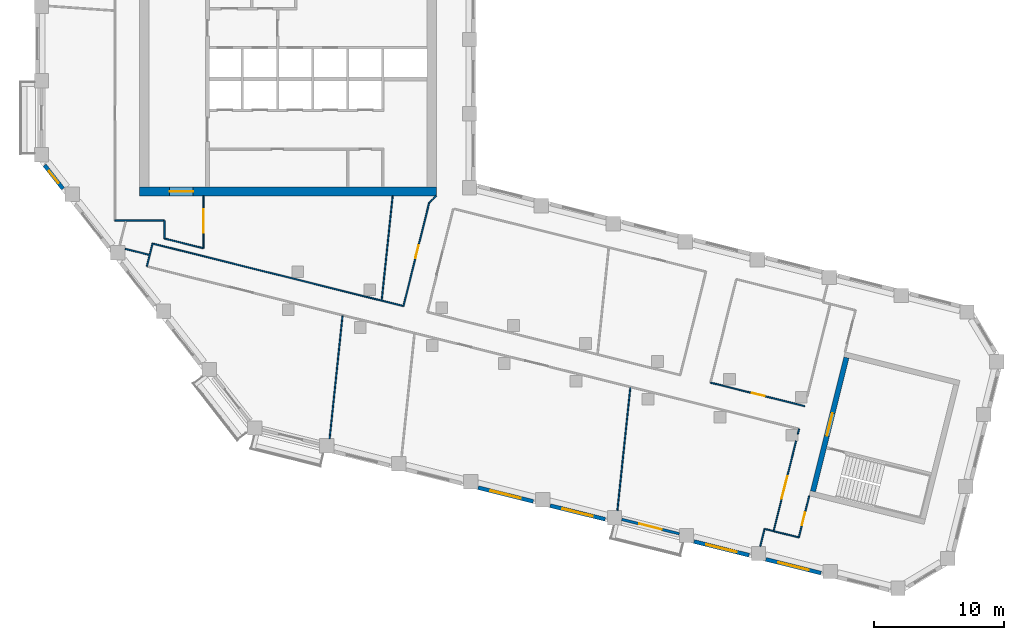
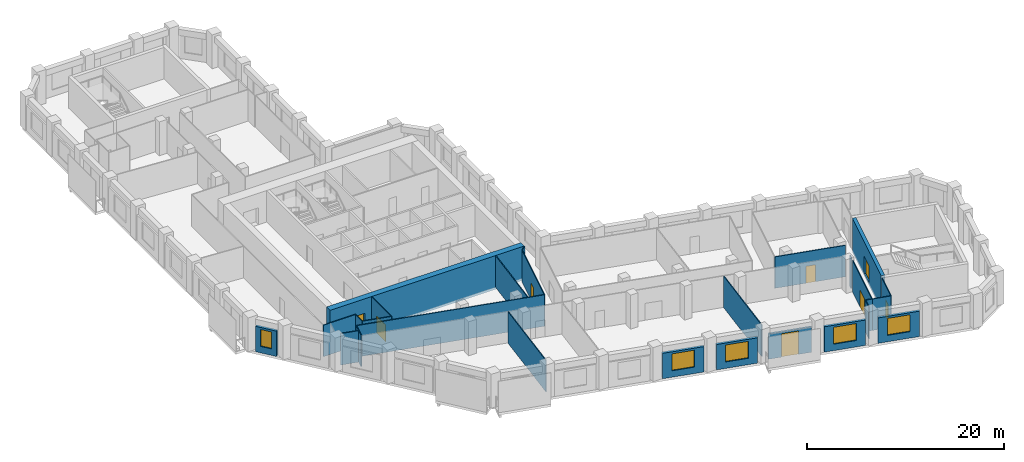
# One storey, part 3 of 10: 27 walls, 8 doors, 5 windows, 13 openings.
"""IFC4 building model written with IfcOpenShell, lengths in metres."""

from ifc_helpers import new_model, si_unit, direction, frame, frame_2d, origin, place, context, subcontext, project, spatial, rectangle, extrude, material, layer, layer_set, type_object, element, fill, save


model = new_model("IFC4")

# Units and contexts
model_context = context("Model", 3, precision=1e-05, world=origin(), true_north=direction((0.0, 1.0)))
body_context = subcontext(model_context, "Body", "Model", "MODEL_VIEW")
ifc_project = project(units=[si_unit("LENGTHUNIT", "METRE"), si_unit("AREAUNIT", "SQUARE_METRE"), si_unit("VOLUMEUNIT", "CUBIC_METRE"), si_unit("PLANEANGLEUNIT", "RADIAN"), si_unit("MASSUNIT", "GRAM", prefix="KILO")], contexts=[model_context])

# Site, building, storey
site_placement = place(None, origin())
site = spatial("IfcSite", under=ifc_project, at=site_placement, CompositionType="ELEMENT")
building_placement = place(site_placement, origin())
building = spatial("IfcBuilding", under=site, at=building_placement, Name="Meshkara Civic Tower", CompositionType="ELEMENT")
storey_placement = place(building_placement, frame((0.0, 0.0, 229.800048828125)))
storey = spatial("IfcBuildingStorey", under=building, at=storey_placement, Name="L52", CompositionType="ELEMENT", Elevation=229.800048828125)

# Wall, opening, door
ifc_material_1 = material(Name="Concrete C60", Category="concrete")
ifc_layer_1 = layer(ifc_material_1, 0.699951171875)
ifc_layer_set_1 = layer_set([ifc_layer_1], Name="Core ring wall 700 C60")
wall_type_1 = type_object("IfcWallType", Name="Core ring wall 700 C60", PredefinedType="SHEAR", material=ifc_layer_set_1)
wall_1_placement = place(storey_placement, frame((8.0, 14.449951171875, -0.300048828125), z_axis=(0.0, 0.0, 1.0), x_axis=(1.0, 0.0, 0.0)))
wall_1 = element("IfcWall", 1, at=wall_1_placement, inside=storey, type_object=wall_type_1, Name="L52-C001", PredefinedType="SHEAR", context=body_context, shape_type="SweptSolid", body=[
    extrude(rectangle(XDim=22.800048828125, YDim=0.699951171875, at=frame_2d((11.39990234375, 0.0))), origin(), (0.0, 0.0, 1.0), 4.199951171875),
])
opening_1_placement = place(wall_1_placement, frame((2.300048828125, 0.0, 0.300048828125)))
opening_1 = element("IfcOpeningElement", 2, at=opening_1_placement, cuts=wall_1, Name="Opening L52-K021", PredefinedType="OPENING", context=body_context, shape_type="SweptSolid", body=[
    extrude(rectangle(XDim=1.800048828125, YDim=2.10009765625, at=frame_2d((0.89990234375, 1.050048828125))), frame((0.0, 0.35986328125, 0.0), z_axis=(0.0, -1.0, 0.0), x_axis=(1.0, 0.0, 0.0)), (0.0, 0.0, 1.0), 0.719970703125),
])
ifc_material_2 = material(Name="Fire-rated door leaf in steel frame", Category="steel")
door_type_1 = type_object("IfcDoorType", Name="Core double door 1800 EI 60", OperationType="DOUBLE_DOOR_SINGLE_SWING", PredefinedType="DOOR", material=ifc_material_2)
door_1_placement = place(opening_1_placement, origin())
door_1 = element("IfcDoor", 3, at=door_1_placement, inside=storey, type_object=door_type_1, Name="L52-K021", OperationType="DOUBLE_DOOR_SINGLE_SWING", OverallHeight=2.10009765625, OverallWidth=1.800048828125, PredefinedType="DOOR", context=body_context, shape_type="SweptSolid", body=[
    extrude(rectangle(XDim=1.800048828125, YDim=2.10009765625, at=frame_2d((0.89990234375, 1.050048828125))), frame((0.0, 0.02490234375, 0.0), z_axis=(0.0, -1.0, 0.0), x_axis=(1.0, 0.0, 0.0)), (0.0, 0.0, 1.0), 0.050048828125),
])
fill(opening_1, door_1)

# Walls
ifc_material_3 = material(Name="Corridor wall 100")
ifc_layer_2 = layer(ifc_material_3, 0.10009765625)
ifc_layer_set_2 = layer_set([ifc_layer_2], Name="Corridor wall 100")
wall_type_2 = type_object("IfcWallType", Name="Corridor wall 100", PredefinedType="PARTITIONING", material=ifc_layer_set_2)
wall_2_placement = place(storey_placement, frame((6.10009765625, 12.199951171875, 0.0), z_axis=(0.0, 0.0, 1.0), x_axis=(1.0, 0.0, 0.0)))
element("IfcWall", 4, at=wall_2_placement, inside=storey, type_object=wall_type_2, Name="L52-W004", PredefinedType="PARTITIONING", context=body_context, shape_type="SweptSolid", body=[
    extrude(rectangle(XDim=3.7998046875, YDim=0.10009765625, at=frame_2d((1.89990234375, 0.0))), origin(), (0.0, 0.0, 1.0), 3.89990234375),
])
wall_3_placement = place(storey_placement, frame((8.988037109375, 10.43994140625, 0.0), z_axis=(0.0, 0.0, 1.0), x_axis=(0.970301223092, -0.241899848006, 0.0)))
element("IfcWall", 5, at=wall_3_placement, inside=storey, type_object=wall_type_2, Name="L52-W007", PredefinedType="PARTITIONING", context=body_context, shape_type="SweptSolid", body=[
    extrude(rectangle(XDim=19.87939453125, YDim=0.10009765625, at=frame_2d((9.939697265625, 0.0))), origin(), (0.0, 0.0, 1.0), 3.89990234375),
])
wall_4_placement = place(storey_placement, frame((8.988037109375, 10.43994140625, 0.0), z_axis=(0.0, 0.0, 1.0), x_axis=(-0.242154485745, -0.970237705428, 0.0)))
element("IfcWall", 6, at=wall_4_placement, inside=storey, type_object=wall_type_2, Name="L52-W008", PredefinedType="PARTITIONING", context=body_context, shape_type="SweptSolid", body=[
    extrude(rectangle(XDim=1.80859375, YDim=0.10009765625, at=frame_2d((0.904296875, 0.0))), origin(), (0.0, 0.0, 1.0), 3.89990234375),
])
wall_5_placement = place(storey_placement, frame((9.89990234375, 10.825927734375, 0.0), z_axis=(0.0, 0.0, 1.0), x_axis=(0.970290953223, -0.241941038466, 0.0)))
element("IfcWall", 7, at=wall_5_placement, inside=storey, type_object=wall_type_2, Name="L52-W009", PredefinedType="PARTITIONING", context=body_context, shape_type="SweptSolid", body=[
    extrude(rectangle(XDim=3.091796875, YDim=0.10009765625, at=frame_2d((1.5458984375, 0.0))), origin(), (0.0, 0.0, 1.0), 3.89990234375),
])
wall_6_placement = place(storey_placement, frame((9.89990234375, 12.199951171875, 0.0), z_axis=(0.0, 0.0, 1.0), x_axis=(0.0, -1.0, 0.0)))
element("IfcWall", 8, at=wall_6_placement, inside=storey, type_object=wall_type_2, Name="L52-W010", PredefinedType="PARTITIONING", context=body_context, shape_type="SweptSolid", body=[
    extrude(rectangle(XDim=1.3740234375, YDim=0.10009765625, at=frame_2d((0.68701171875, 0.0))), origin(), (0.0, 0.0, 1.0), 3.89990234375),
])

# Wall, opening, door
wall_7_placement = place(storey_placement, frame((12.89990234375, 10.077880859375, 0.0), z_axis=(0.0, 0.0, 1.0), x_axis=(0.0, 1.0, 0.0)))
wall_7 = element("IfcWall", 9, at=wall_7_placement, inside=storey, type_object=wall_type_2, Name="L52-W014", PredefinedType="PARTITIONING", context=body_context, shape_type="SweptSolid", body=[
    extrude(rectangle(XDim=4.022216796875, YDim=0.10009765625, at=frame_2d((2.01123046875, 0.0))), origin(), (0.0, 0.0, 1.0), 3.89990234375),
])
opening_2_placement = place(wall_7_placement, frame((1.179931640625, 0.0, 0.0)))
opening_2 = element("IfcOpeningElement", 10, at=opening_2_placement, cuts=wall_7, Name="Opening L52-D012", PredefinedType="OPENING", context=body_context, shape_type="SweptSolid", body=[
    extrude(rectangle(XDim=1.800048828125, YDim=2.10009765625, at=frame_2d((0.89990234375, 1.050048828125))), frame((0.0, 0.06005859375, 0.0), z_axis=(0.0, -1.0, 0.0), x_axis=(1.0, 0.0, 0.0)), (0.0, 0.0, 1.0), 0.1201171875),
])
ifc_material_4 = material(Name="Door pair 1800 x 2100")
door_type_2 = type_object("IfcDoorType", Name="Door pair 1800 x 2100", OperationType="SINGLE_SWING_LEFT", PredefinedType="DOOR", material=ifc_material_4)
door_2_placement = place(opening_2_placement, origin())
door_2 = element("IfcDoor", 11, at=door_2_placement, inside=storey, type_object=door_type_2, Name="L52-D012", OperationType="DOUBLE_DOOR_SINGLE_SWING", OverallHeight=2.10009765625, OverallWidth=1.800048828125, PredefinedType="DOOR", context=body_context, shape_type="SweptSolid", body=[
    extrude(rectangle(XDim=1.800048828125, YDim=2.10009765625, at=frame_2d((0.89990234375, 1.050048828125))), frame((0.0, 0.02490234375, 0.0), z_axis=(0.0, -1.0, 0.0), x_axis=(1.0, 0.0, 0.0)), (0.0, 0.0, 1.0), 0.050048828125),
])
fill(opening_2, door_2)

wall_8_placement = place(storey_placement, frame((30.259033203125, 13.5830078125, 0.0), z_axis=(0.0, 0.0, 1.0), x_axis=(-0.241841612879, -0.970315739479, 0.0)))
wall_8 = element("IfcWall", 12, at=wall_8_placement, inside=storey, type_object=wall_type_2, Name="L52-W023", PredefinedType="PARTITIONING", context=body_context, shape_type="SweptSolid", body=[
    extrude(rectangle(XDim=8.195068359375, YDim=0.10009765625, at=frame_2d((4.09765625, 0.0))), origin(), (0.0, 0.0, 1.0), 3.89990234375),
])
opening_3_placement = place(wall_8_placement, frame((3.3798828125, 0.0, 0.0)))
opening_3 = element("IfcOpeningElement", 13, at=opening_3_placement, cuts=wall_8, Name="Opening L52-D009", PredefinedType="OPENING", context=body_context, shape_type="SweptSolid", body=[
    extrude(rectangle(XDim=1.0, YDim=2.10009765625, at=frame_2d((0.5, 1.050048828125))), frame((0.0, 0.06005859375, 0.0), z_axis=(0.0, -1.0, 0.0), x_axis=(1.0, 0.0, 0.0)), (0.0, 0.0, 1.0), 0.1201171875),
])
ifc_material_5 = material(Name="Door 1000 x 2100")
door_type_3 = type_object("IfcDoorType", Name="Door 1000 x 2100", OperationType="SINGLE_SWING_LEFT", PredefinedType="DOOR", material=ifc_material_5)
door_3_placement = place(opening_3_placement, origin())
door_3 = element("IfcDoor", 14, at=door_3_placement, inside=storey, type_object=door_type_3, Name="L52-D009", OperationType="SINGLE_SWING_RIGHT", OverallHeight=2.10009765625, OverallWidth=1.0, PredefinedType="DOOR", context=body_context, shape_type="SweptSolid", body=[
    extrude(rectangle(XDim=1.0, YDim=2.10009765625, at=frame_2d((0.5, 1.050048828125))), frame((0.0, 0.02490234375, 0.0), z_axis=(0.0, -1.0, 0.0), x_axis=(1.0, 0.0, 0.0)), (0.0, 0.0, 1.0), 0.050048828125),
])
fill(opening_3, door_3)

# Walls
wall_9_placement = place(storey_placement, frame((30.800048828125, 14.10009765625, 0.0), z_axis=(0.0, 0.0, 1.0), x_axis=(-0.722911025189, -0.690941133281, 0.0)))
element("IfcWall", 15, at=wall_9_placement, inside=storey, type_object=wall_type_2, Name="L52-W024", PredefinedType="PARTITIONING", context=body_context, shape_type="SweptSolid", body=[
    extrude(rectangle(XDim=0.748291015625, YDim=0.10009765625, at=frame_2d((0.3740234375, 0.0))), origin(), (0.0, 0.0, 1.0), 3.89990234375),
])
wall_10_placement = place(storey_placement, frame((56.73193359375, -11.6708984375, 0.0), z_axis=(0.0, 0.0, 1.0), x_axis=(0.970250131019, -0.242104694829, 0.0)))
element("IfcWall", 16, at=wall_10_placement, inside=storey, type_object=wall_type_2, Name="L52-W030", PredefinedType="PARTITIONING", context=body_context, shape_type="SweptSolid", body=[
    extrude(rectangle(XDim=1.999755859375, YDim=0.10009765625, at=frame_2d((1.0, 0.0))), origin(), (0.0, 0.0, 1.0), 3.89990234375),
])

# Wall, opening, door
wall_11_placement = place(storey_placement, frame((58.458984375, -4.741943359375, 0.0), z_axis=(0.0, 0.0, 1.0), x_axis=(-0.24185178818, -0.970313203329, 0.0)))
wall_11 = element("IfcWall", 17, at=wall_11_placement, inside=storey, type_object=wall_type_2, Name="L52-W031", PredefinedType="PARTITIONING", context=body_context, shape_type="SweptSolid", body=[
    extrude(rectangle(XDim=7.140869140625, YDim=0.10009765625, at=frame_2d((3.5703125, 0.0))), origin(), (0.0, 0.0, 1.0), 3.89990234375),
])
opening_4_placement = place(wall_11_placement, frame((2.780029296875, 0.0, 0.0)))
opening_4 = element("IfcOpeningElement", 18, at=opening_4_placement, cuts=wall_11, Name="Opening L52-D001", PredefinedType="OPENING", context=body_context, shape_type="SweptSolid", body=[
    extrude(rectangle(XDim=1.800048828125, YDim=2.10009765625, at=frame_2d((0.89990234375, 1.050048828125))), frame((0.0, 0.06005859375, 0.0), z_axis=(0.0, -1.0, 0.0), x_axis=(1.0, 0.0, 0.0)), (0.0, 0.0, 1.0), 0.1201171875),
])
door_4_placement = place(opening_4_placement, origin())
door_4 = element("IfcDoor", 19, at=door_4_placement, inside=storey, type_object=door_type_2, Name="L52-D001", OperationType="DOUBLE_DOOR_SINGLE_SWING", OverallHeight=2.10009765625, OverallWidth=1.800048828125, PredefinedType="DOOR", context=body_context, shape_type="SweptSolid", body=[
    extrude(rectangle(XDim=1.800048828125, YDim=2.10009765625, at=frame_2d((0.89990234375, 1.050048828125))), frame((0.0, 0.02490234375, 0.0), z_axis=(0.0, -1.0, 0.0), x_axis=(1.0, 0.0, 0.0)), (0.0, 0.0, 1.0), 0.050048828125),
])
fill(opening_4, door_4)

wall_12_placement = place(storey_placement, frame((58.672119140625, -12.155029296875, 0.0), z_axis=(0.0, 0.0, 1.0), x_axis=(0.242048225647, 0.970264219922, 0.0)))
wall_12 = element("IfcWall", 20, at=wall_12_placement, inside=storey, type_object=wall_type_2, Name="L52-W032", PredefinedType="PARTITIONING", context=body_context, shape_type="SweptSolid", body=[
    extrude(rectangle(XDim=3.30029296875, YDim=0.10009765625, at=frame_2d((1.650146484375, 0.0))), origin(), (0.0, 0.0, 1.0), 3.89990234375),
])
opening_5_placement = place(wall_12_placement, frame((0.97998046875, 0.0, 0.0)))
opening_5 = element("IfcOpeningElement", 21, at=opening_5_placement, cuts=wall_12, Name="Opening L52-D002", PredefinedType="OPENING", context=body_context, shape_type="SweptSolid", body=[
    extrude(rectangle(XDim=1.0, YDim=2.10009765625, at=frame_2d((0.5, 1.050048828125))), frame((0.0, 0.06005859375, 0.0), z_axis=(0.0, -1.0, 0.0), x_axis=(1.0, 0.0, 0.0)), (0.0, 0.0, 1.0), 0.1201171875),
])
door_5_placement = place(opening_5_placement, origin())
door_5 = element("IfcDoor", 22, at=door_5_placement, inside=storey, type_object=door_type_3, Name="L52-D002", OperationType="SINGLE_SWING_RIGHT", OverallHeight=2.10009765625, OverallWidth=1.0, PredefinedType="DOOR", context=body_context, shape_type="SweptSolid", body=[
    extrude(rectangle(XDim=1.0, YDim=2.10009765625, at=frame_2d((0.5, 1.050048828125))), frame((0.0, 0.02490234375, 0.0), z_axis=(0.0, -1.0, 0.0), x_axis=(1.0, 0.0, 0.0)), (0.0, 0.0, 1.0), 0.050048828125),
])
fill(opening_5, door_5)

# Wall
wall_13_placement = place(storey_placement, frame((58.68994140625, -3.81591796875, 0.0), z_axis=(0.0, 0.0, 1.0), x_axis=(-0.241572107215, -0.970382871353, 0.0)))
element("IfcWall", 23, at=wall_13_placement, inside=storey, type_object=wall_type_2, Name="L52-W033", PredefinedType="PARTITIONING", context=body_context, shape_type="SweptSolid", body=[
    extrude(rectangle(XDim=0.41748046875, YDim=0.10009765625, at=frame_2d((0.208740234375, 0.0))), origin(), (0.0, 0.0, 1.0), 3.89990234375),
])

# Wall, opening, door
wall_14_placement = place(storey_placement, frame((59.1279296875, -2.06103515625, 0.0), z_axis=(0.0, 0.0, 1.0), x_axis=(-0.970296107939, 0.241920364826, 0.0)))
wall_14 = element("IfcWall", 24, at=wall_14_placement, inside=storey, type_object=wall_type_2, Name="L52-W034", PredefinedType="PARTITIONING", context=body_context, shape_type="SweptSolid", body=[
    extrude(rectangle(XDim=7.469970703125, YDim=0.10009765625, at=frame_2d((3.73486328125, 0.0))), origin(), (0.0, 0.0, 1.0), 3.89990234375),
])
opening_6_placement = place(wall_14_placement, frame((3.179931640625, 0.0, 0.0)))
opening_6 = element("IfcOpeningElement", 25, at=opening_6_placement, cuts=wall_14, Name="Opening L52-D003", PredefinedType="OPENING", context=body_context, shape_type="SweptSolid", body=[
    extrude(rectangle(XDim=1.0, YDim=2.10009765625, at=frame_2d((0.5, 1.050048828125))), frame((0.0, 0.06005859375, 0.0), z_axis=(0.0, -1.0, 0.0), x_axis=(1.0, 0.0, 0.0)), (0.0, 0.0, 1.0), 0.1201171875),
])
door_6_placement = place(opening_6_placement, origin())
door_6 = element("IfcDoor", 26, at=door_6_placement, inside=storey, type_object=door_type_3, Name="L52-D003", OperationType="SINGLE_SWING_RIGHT", OverallHeight=2.10009765625, OverallWidth=1.0, PredefinedType="DOOR", context=body_context, shape_type="SweptSolid", body=[
    extrude(rectangle(XDim=1.0, YDim=2.10009765625, at=frame_2d((0.5, 1.050048828125))), frame((0.0, 0.02490234375, 0.0), z_axis=(0.0, -1.0, 0.0), x_axis=(1.0, 0.0, 0.0)), (0.0, 0.0, 1.0), 0.050048828125),
])
fill(opening_6, door_6)

# Wall, opening, window
ifc_material_6 = material(Name="Insulated infill panel with bronze anodised aluminium cladding", Category="aluminium")
ifc_layer_3 = layer(ifc_material_6, 0.300048828125)
ifc_layer_set_3 = layer_set([ifc_layer_3], Name="EXTERNAL INFILL WALL 300")
wall_type_3 = type_object("IfcWallType", Name="EXTERNAL INFILL WALL 300", PredefinedType="SOLIDWALL", material=ifc_layer_set_3)
wall_15_placement = place(storey_placement, frame((0.68896484375, 16.4619140625, 0.0), z_axis=(0.0, 0.0, 1.0), x_axis=(0.615625465473, -0.788038886262, 0.0)))
wall_15 = element("IfcWall", 27, at=wall_15_placement, inside=storey, type_object=wall_type_3, Name="External wall", PredefinedType="SOLIDWALL", context=body_context, shape_type="SweptSolid", body=[
    extrude(rectangle(XDim=2.29541015625, YDim=0.300048828125, at=frame_2d((1.147705078125, 0.0))), origin(), (0.0, 0.0, 1.0), 3.14990234375),
])
opening_7_placement = place(wall_15_placement, frame((0.548095703125, 0.0, 0.800048828125)))
opening_7 = element("IfcOpeningElement", 28, at=opening_7_placement, cuts=wall_15, Name="Opening W3", PredefinedType="OPENING", context=body_context, shape_type="SweptSolid", body=[
    extrude(rectangle(XDim=1.199951171875, YDim=2.10009765625, at=frame_2d((0.60009765625, 1.050048828125))), frame((0.0, 0.159912109375, 0.0), z_axis=(0.0, -1.0, 0.0), x_axis=(1.0, 0.0, 0.0)), (0.0, 0.0, 1.0), 0.320068359375),
])
ifc_material_7 = material(Name="Tinted double glazing", Category="glass")
window_type_1 = type_object("IfcWindowType", Name="WINDOW 1200x2100", PartitioningType="SINGLE_PANEL", PredefinedType="WINDOW", material=ifc_material_7)
window_1_placement = place(opening_7_placement, origin())
window_1 = element("IfcWindow", 29, at=window_1_placement, inside=storey, type_object=window_type_1, Name="Window", OverallHeight=2.10009765625, OverallWidth=1.199951171875, PartitioningType="SINGLE_PANEL", PredefinedType="WINDOW", context=body_context, shape_type="SweptSolid", body=[
    extrude(rectangle(XDim=1.199951171875, YDim=2.10009765625, at=frame_2d((0.60009765625, 1.050048828125))), frame((0.0, 0.030029296875, 0.0), z_axis=(0.0, -1.0, 0.0), x_axis=(1.0, 0.0, 0.0)), (0.0, 0.0, 1.0), 0.06005859375),
])
fill(opening_7, window_1)

wall_16_placement = place(storey_placement, frame((34.01708984375, -8.326904296875, 0.0), z_axis=(0.0, 0.0, 1.0), x_axis=(0.970306725873, -0.241877774353, 0.0)))
wall_16 = element("IfcWall", 30, at=wall_16_placement, inside=storey, type_object=wall_type_3, Name="External wall", PredefinedType="SOLIDWALL", context=body_context, shape_type="SweptSolid", body=[
    extrude(rectangle(XDim=4.366455078125, YDim=0.300048828125, at=frame_2d((2.18310546875, 0.0))), origin(), (0.0, 0.0, 1.0), 3.14990234375),
])
opening_8_placement = place(wall_16_placement, frame((0.98291015625, 0.0, 0.800048828125)))
opening_8 = element("IfcOpeningElement", 31, at=opening_8_placement, cuts=wall_16, Name="Opening W7", PredefinedType="OPENING", context=body_context, shape_type="SweptSolid", body=[
    extrude(rectangle(XDim=2.39990234375, YDim=2.10009765625, at=frame_2d((1.199951171875, 1.050048828125))), frame((0.0, 0.159912109375, 0.0), z_axis=(0.0, -1.0, 0.0), x_axis=(1.0, 0.0, 0.0)), (0.0, 0.0, 1.0), 0.320068359375),
])
ifc_material_8 = material(Name="Tinted double glazing", Category="glass")
window_type_2 = type_object("IfcWindowType", Name="WINDOW 2400x2100", PartitioningType="DOUBLE_PANEL_VERTICAL", PredefinedType="WINDOW", material=ifc_material_8)
window_2_placement = place(opening_8_placement, origin())
window_2 = element("IfcWindow", 32, at=window_2_placement, inside=storey, type_object=window_type_2, Name="Window", OverallHeight=2.10009765625, OverallWidth=2.39990234375, PartitioningType="DOUBLE_PANEL_VERTICAL", PredefinedType="WINDOW", context=body_context, shape_type="SweptSolid", body=[
    extrude(rectangle(XDim=2.39990234375, YDim=2.10009765625, at=frame_2d((1.199951171875, 1.050048828125))), frame((0.0, 0.030029296875, 0.0), z_axis=(0.0, -1.0, 0.0), x_axis=(1.0, 0.0, 0.0)), (0.0, 0.0, 1.0), 0.06005859375),
])
fill(opening_8, window_2)

wall_17_placement = place(storey_placement, frame((39.548095703125, -9.7060546875, 0.0), z_axis=(0.0, 0.0, 1.0), x_axis=(0.970319847058, -0.241825131873, 0.0)))
wall_17 = element("IfcWall", 33, at=wall_17_placement, inside=storey, type_object=wall_type_3, Name="External wall", PredefinedType="SOLIDWALL", context=body_context, shape_type="SweptSolid", body=[
    extrude(rectangle(XDim=4.366455078125, YDim=0.300048828125, at=frame_2d((2.18310546875, 0.0))), origin(), (0.0, 0.0, 1.0), 3.14990234375),
])
opening_9_placement = place(wall_17_placement, frame((0.98291015625, 0.0, 0.800048828125)))
opening_9 = element("IfcOpeningElement", 34, at=opening_9_placement, cuts=wall_17, Name="Opening W7", PredefinedType="OPENING", context=body_context, shape_type="SweptSolid", body=[
    extrude(rectangle(XDim=2.39990234375, YDim=2.10009765625, at=frame_2d((1.199951171875, 1.050048828125))), frame((0.0, 0.159912109375, 0.0), z_axis=(0.0, -1.0, 0.0), x_axis=(1.0, 0.0, 0.0)), (0.0, 0.0, 1.0), 0.320068359375),
])
window_3_placement = place(opening_9_placement, origin())
window_3 = element("IfcWindow", 35, at=window_3_placement, inside=storey, type_object=window_type_2, Name="Window", OverallHeight=2.10009765625, OverallWidth=2.39990234375, PartitioningType="DOUBLE_PANEL_VERTICAL", PredefinedType="WINDOW", context=body_context, shape_type="SweptSolid", body=[
    extrude(rectangle(XDim=2.39990234375, YDim=2.10009765625, at=frame_2d((1.199951171875, 1.050048828125))), frame((0.0, 0.030029296875, 0.0), z_axis=(0.0, -1.0, 0.0), x_axis=(1.0, 0.0, 0.0)), (0.0, 0.0, 1.0), 0.06005859375),
])
fill(opening_9, window_3)

wall_18_placement = place(storey_placement, frame((50.60888671875, -12.462890625, 0.0), z_axis=(0.0, 0.0, 1.0), x_axis=(0.970257492536, -0.242075191166, 0.0)))
wall_18 = element("IfcWall", 36, at=wall_18_placement, inside=storey, type_object=wall_type_3, Name="External wall", PredefinedType="SOLIDWALL", context=body_context, shape_type="SweptSolid", body=[
    extrude(rectangle(XDim=4.366943359375, YDim=0.300048828125, at=frame_2d((2.18359375, 0.0))), origin(), (0.0, 0.0, 1.0), 3.14990234375),
])
opening_10_placement = place(wall_18_placement, frame((0.98291015625, 0.0, 0.800048828125)))
opening_10 = element("IfcOpeningElement", 37, at=opening_10_placement, cuts=wall_18, Name="Opening W7", PredefinedType="OPENING", context=body_context, shape_type="SweptSolid", body=[
    extrude(rectangle(XDim=2.39990234375, YDim=2.10009765625, at=frame_2d((1.199951171875, 1.050048828125))), frame((0.0, 0.159912109375, 0.0), z_axis=(0.0, -1.0, 0.0), x_axis=(1.0, 0.0, 0.0)), (0.0, 0.0, 1.0), 0.320068359375),
])
window_4_placement = place(opening_10_placement, origin())
window_4 = element("IfcWindow", 38, at=window_4_placement, inside=storey, type_object=window_type_2, Name="Window", OverallHeight=2.10009765625, OverallWidth=2.39990234375, PartitioningType="DOUBLE_PANEL_VERTICAL", PredefinedType="WINDOW", context=body_context, shape_type="SweptSolid", body=[
    extrude(rectangle(XDim=2.39990234375, YDim=2.10009765625, at=frame_2d((1.199951171875, 1.050048828125))), frame((0.0, 0.030029296875, 0.0), z_axis=(0.0, -1.0, 0.0), x_axis=(1.0, 0.0, 0.0)), (0.0, 0.0, 1.0), 0.06005859375),
])
fill(opening_10, window_4)

wall_19_placement = place(storey_placement, frame((56.139892578125, -13.842041015625, 0.0), z_axis=(0.0, 0.0, 1.0), x_axis=(0.970270622343, -0.24202255973, 0.0)))
wall_19 = element("IfcWall", 39, at=wall_19_placement, inside=storey, type_object=wall_type_3, Name="External wall", PredefinedType="SOLIDWALL", context=body_context, shape_type="SweptSolid", body=[
    extrude(rectangle(XDim=4.366943359375, YDim=0.300048828125, at=frame_2d((2.18359375, 0.0))), origin(), (0.0, 0.0, 1.0), 3.14990234375),
])
opening_11_placement = place(wall_19_placement, frame((0.98291015625, 0.0, 0.800048828125)))
opening_11 = element("IfcOpeningElement", 40, at=opening_11_placement, cuts=wall_19, Name="Opening W7", PredefinedType="OPENING", context=body_context, shape_type="SweptSolid", body=[
    extrude(rectangle(XDim=2.39990234375, YDim=2.10009765625, at=frame_2d((1.199951171875, 1.050048828125))), frame((0.0, 0.159912109375, 0.0), z_axis=(0.0, -1.0, 0.0), x_axis=(1.0, 0.0, 0.0)), (0.0, 0.0, 1.0), 0.320068359375),
])
window_5_placement = place(opening_11_placement, origin())
window_5 = element("IfcWindow", 41, at=window_5_placement, inside=storey, type_object=window_type_2, Name="Window", OverallHeight=2.10009765625, OverallWidth=2.39990234375, PartitioningType="DOUBLE_PANEL_VERTICAL", PredefinedType="WINDOW", context=body_context, shape_type="SweptSolid", body=[
    extrude(rectangle(XDim=2.39990234375, YDim=2.10009765625, at=frame_2d((1.199951171875, 1.050048828125))), frame((0.0, 0.030029296875, 0.0), z_axis=(0.0, -1.0, 0.0), x_axis=(1.0, 0.0, 0.0)), (0.0, 0.0, 1.0), 0.06005859375),
])
fill(opening_11, window_5)

# Wall, opening, door
ifc_material_9 = material(Name="Concrete C60", Category="concrete")
ifc_layer_4 = layer(ifc_material_9, 0.39990234375)
ifc_layer_set_4 = layer_set([ifc_layer_4], Name="End core ring wall 400 C60")
wall_type_4 = type_object("IfcWallType", Name="End core ring wall 400 C60", PredefinedType="SHEAR", material=ifc_layer_set_4)
wall_20_placement = place(storey_placement, frame((59.760986328125, -8.613037109375, -0.300048828125), z_axis=(0.0, 0.0, 1.0), x_axis=(0.241971982666, 0.970283236795, 0.0)))
wall_20 = element("IfcWall", 42, at=wall_20_placement, inside=storey, type_object=wall_type_4, Name="L52-C030", PredefinedType="SHEAR", context=body_context, shape_type="SweptSolid", body=[
    extrude(rectangle(XDim=10.60009765625, YDim=0.39990234375, at=frame_2d((5.300048828125, 0.0))), origin(), (0.0, 0.0, 1.0), 4.199951171875),
])
opening_12_placement = place(wall_20_placement, frame((4.39990234375, 0.0, 0.300048828125)))
opening_12 = element("IfcOpeningElement", 43, at=opening_12_placement, cuts=wall_20, Name="Opening L52-K202", PredefinedType="OPENING", context=body_context, shape_type="SweptSolid", body=[
    extrude(rectangle(XDim=1.800048828125, YDim=2.10009765625, at=frame_2d((0.89990234375, 1.050048828125))), frame((0.0, 0.2099609375, 0.0), z_axis=(0.0, -1.0, 0.0), x_axis=(1.0, 0.0, 0.0)), (0.0, 0.0, 1.0), 0.419921875),
])
door_7_placement = place(opening_12_placement, origin())
door_7 = element("IfcDoor", 44, at=door_7_placement, inside=storey, type_object=door_type_1, Name="L52-K202", OperationType="DOUBLE_DOOR_SINGLE_SWING", OverallHeight=2.10009765625, OverallWidth=1.800048828125, PredefinedType="DOOR", context=body_context, shape_type="SweptSolid", body=[
    extrude(rectangle(XDim=1.800048828125, YDim=2.10009765625, at=frame_2d((0.89990234375, 1.050048828125))), frame((0.0, 0.02490234375, 0.0), z_axis=(0.0, -1.0, 0.0), x_axis=(1.0, 0.0, 0.0)), (0.0, 0.0, 1.0), 0.050048828125),
])
fill(opening_12, door_7)

ifc_material_10 = material(Name="Insulated infill panel with bronze anodised aluminium cladding", Category="aluminium")
ifc_layer_5 = layer(ifc_material_10, 0.199951171875)
ifc_layer_set_5 = layer_set([ifc_layer_5], Name="LOGGIA BACK WALL 200")
wall_type_5 = type_object("IfcWallType", Name="LOGGIA BACK WALL 200", PredefinedType="SOLIDWALL", material=ifc_layer_set_5)
wall_21_placement = place(storey_placement, frame((45.054931640625, -10.77001953125, 0.0), z_axis=(0.0, 0.0, 1.0), x_axis=(0.970324663654, -0.241805804532, 0.0)))
wall_21 = element("IfcWall", 45, at=wall_21_placement, inside=storey, type_object=wall_type_5, Name="Loggia wall", PredefinedType="SOLIDWALL", context=body_context, shape_type="SweptSolid", body=[
    extrude(rectangle(XDim=4.565673828125, YDim=0.199951171875, at=frame_2d((2.28271484375, 0.0))), origin(), (0.0, 0.0, 1.0), 3.14990234375),
])
opening_13_placement = place(wall_21_placement, frame((1.382080078125, 0.0, 0.0)))
opening_13 = element("IfcOpeningElement", 46, at=opening_13_placement, cuts=wall_21, Name="Opening L52-L005", PredefinedType="OPENING", context=body_context, shape_type="SweptSolid", body=[
    extrude(rectangle(XDim=1.800048828125, YDim=2.89990234375, at=frame_2d((0.89990234375, 1.449951171875))), frame((0.0, 0.10986328125, 0.0), z_axis=(0.0, -1.0, 0.0), x_axis=(1.0, 0.0, 0.0)), (0.0, 0.0, 1.0), 0.219970703125),
])
ifc_material_11 = material(Name="Tinted double glazing", Category="glass")
door_type_4 = type_object("IfcDoorType", Name="LOGGIA DOOR 1800x2900", OperationType="DOUBLE_DOOR_SINGLE_SWING", PredefinedType="DOOR", material=ifc_material_11)
door_8_placement = place(opening_13_placement, origin())
door_8 = element("IfcDoor", 47, at=door_8_placement, inside=storey, type_object=door_type_4, Name="L52-L005", OperationType="DOUBLE_DOOR_SINGLE_SWING", OverallHeight=2.89990234375, OverallWidth=1.800048828125, PredefinedType="DOOR", context=body_context, shape_type="SweptSolid", body=[
    extrude(rectangle(XDim=1.800048828125, YDim=2.89990234375, at=frame_2d((0.89990234375, 1.449951171875))), frame((0.0, 0.02490234375, 0.0), z_axis=(0.0, -1.0, 0.0), x_axis=(1.0, 0.0, 0.0)), (0.0, 0.0, 1.0), 0.050048828125),
])
fill(opening_13, door_8)

# Walls
ifc_material_12 = material(Name="Partition 100")
ifc_layer_6 = layer(ifc_material_12, 0.10009765625)
ifc_layer_set_6 = layer_set([ifc_layer_6], Name="Partition 100")
wall_type_6 = type_object("IfcWallType", Name="Partition 100", PredefinedType="PARTITIONING", material=ifc_layer_set_6)
wall_22_placement = place(storey_placement, frame((8.719970703125, 9.573974609375, 0.0), z_axis=(0.0, 0.0, 1.0), x_axis=(-0.970240497311, 0.242143299263, 0.0)))
element("IfcWall", 48, at=wall_22_placement, inside=storey, type_object=wall_type_6, Name="L52-W046", PredefinedType="PARTITIONING", context=body_context, shape_type="SweptSolid", body=[
    extrude(rectangle(XDim=1.903564453125, YDim=0.10009765625, at=frame_2d((0.95166015625, 0.0))), origin(), (0.0, 0.0, 1.0), 3.89990234375),
])
wall_23_placement = place(storey_placement, frame((22.60107421875, -4.56689453125, 0.0), z_axis=(0.0, 0.0, 1.0), x_axis=(0.104573690763, 0.994517140727, 0.0)))
element("IfcWall", 49, at=wall_23_placement, inside=storey, type_object=wall_type_6, Name="L52-W049", PredefinedType="PARTITIONING", context=body_context, shape_type="SweptSolid", body=[
    extrude(rectangle(XDim=9.494873046875, YDim=0.10009765625, at=frame_2d((4.74755859375, 0.0))), origin(), (0.0, 0.0, 1.0), 3.89990234375),
])
wall_24_placement = place(storey_placement, frame((26.60791015625, 6.10498046875, 0.0), z_axis=(0.0, 0.0, 1.0), x_axis=(0.104619970127, 0.994512273353, 0.0)))
element("IfcWall", 50, at=wall_24_placement, inside=storey, type_object=wall_type_6, Name="L52-W050", PredefinedType="PARTITIONING", context=body_context, shape_type="SweptSolid", body=[
    extrude(rectangle(XDim=8.039306640625, YDim=0.10009765625, at=frame_2d((4.01953125, 0.0))), origin(), (0.0, 0.0, 1.0), 3.89990234375),
])
wall_25_placement = place(storey_placement, frame((44.72412109375, -10.08203125, 0.0), z_axis=(0.0, 0.0, 1.0), x_axis=(0.104479978306, 0.994526990148, 0.0)))
element("IfcWall", 51, at=wall_25_placement, inside=storey, type_object=wall_type_6, Name="L52-W053", PredefinedType="PARTITIONING", context=body_context, shape_type="SweptSolid", body=[
    extrude(rectangle(XDim=9.494140625, YDim=0.10009765625, at=frame_2d((4.7470703125, 0.0))), origin(), (0.0, 0.0, 1.0), 3.89990234375),
])
wall_26_placement = place(storey_placement, frame((55.702880859375, -12.840087890625, 0.0), z_axis=(0.0, 0.0, 1.0), x_axis=(0.242327978011, 0.970194388292, 0.0)))
element("IfcWall", 52, at=wall_26_placement, inside=storey, type_object=wall_type_6, Name="L52-W054", PredefinedType="PARTITIONING", context=body_context, shape_type="SweptSolid", body=[
    extrude(rectangle(XDim=1.38330078125, YDim=0.10009765625, at=frame_2d((0.691650390625, 0.0))), origin(), (0.0, 0.0, 1.0), 3.89990234375),
])
wall_27_placement = place(storey_placement, frame((56.0380859375, -11.498046875, 0.0), z_axis=(0.0, 0.0, 1.0), x_axis=(0.970282083048, -0.241976609029, 0.0)))
element("IfcWall", 53, at=wall_27_placement, inside=storey, type_object=wall_type_6, Name="L52-W055", PredefinedType="PARTITIONING", context=body_context, shape_type="SweptSolid", body=[
    extrude(rectangle(XDim=0.719482421875, YDim=0.10009765625, at=frame_2d((0.35986328125, 0.0))), origin(), (0.0, 0.0, 1.0), 3.89990234375),
])

save(model, "model.ifc")
